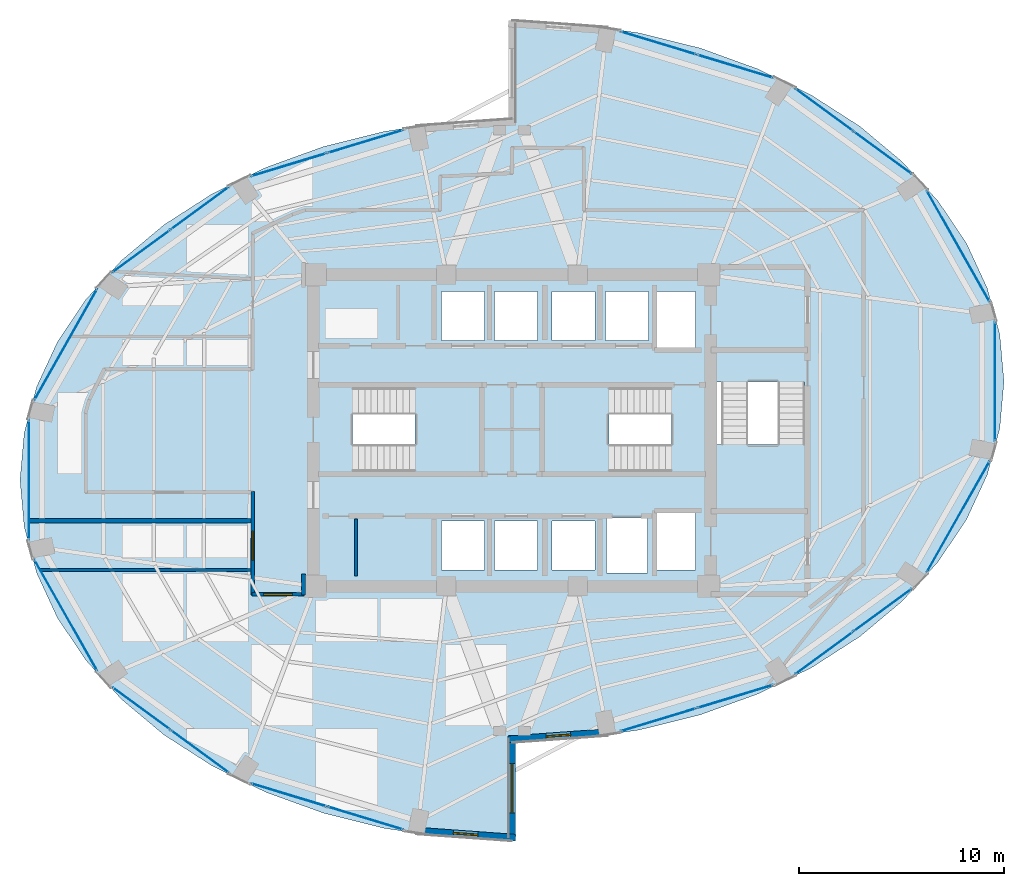
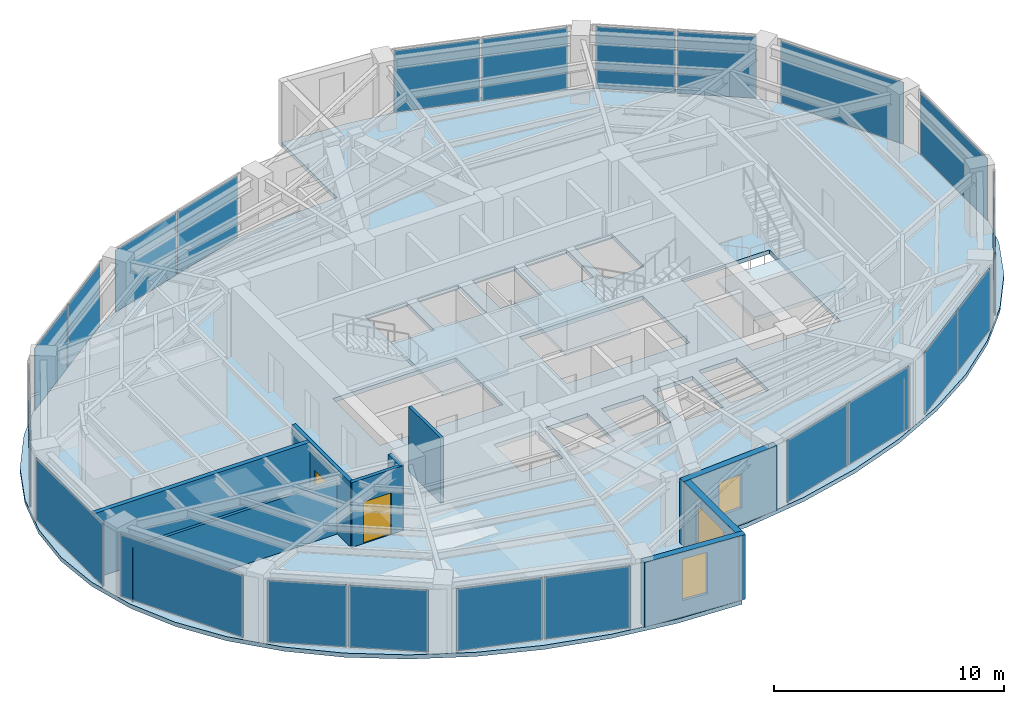
# One storey, part 15 of 20: 22 plates, 9 walls, 4 slabs, 3 windows, 2 doors, 5 openings, 17 elements without a shape of their own.
"""IFC4 building model written with IfcOpenShell, lengths in metres."""

from ifc_helpers import new_model, si_unit, direction, frame, frame_2d, origin, origin_2d, place, context, subcontext, project, spatial, polyline, rectangle, outline, extrude, material, layer, layer_set, type_object, element, fill, aggregate, save


model = new_model("IFC4")

# Units and contexts
model_context = context("Model", 3, precision=1e-05, world=origin(), true_north=direction((0.0, 1.0)))
body_context = subcontext(model_context, "Body", "Model", "MODEL_VIEW")
ifc_project = project(units=[si_unit("LENGTHUNIT", "METRE"), si_unit("AREAUNIT", "SQUARE_METRE"), si_unit("VOLUMEUNIT", "CUBIC_METRE"), si_unit("PLANEANGLEUNIT", "RADIAN"), si_unit("MASSUNIT", "GRAM", prefix="KILO")], contexts=[model_context])

# Site, building, storey
site_placement = place(None, origin())
site = spatial("IfcSite", under=ifc_project, at=site_placement, CompositionType="ELEMENT")
building_placement = place(site_placement, origin())
building = spatial("IfcBuilding", under=site, at=building_placement, Name="Lazwardi Medical Tower", CompositionType="ELEMENT")
storey_placement = place(building_placement, frame((0.0, 0.0, 182.06396484375)))
storey = spatial("IfcBuildingStorey", under=building, at=storey_placement, Name="L47", CompositionType="ELEMENT", Elevation=182.06396484375)

# Curtain wall, plates
ifc_material_1 = material(Name="Anodised bronze aluminium and solar control glazing", Category="aluminium")
ifc_layer_1 = layer(ifc_material_1, 0.195068359375)
ifc_layer_set_1 = layer_set([ifc_layer_1], Name="Anodised bronze aluminium and solar control glazing")
curtain_wall_type = type_object("IfcCurtainWallType", Name="CW-SYS-03", PredefinedType="NOTDEFINED", material=ifc_layer_set_1)
curtain_wall_1_placement = place(storey_placement, origin())
curtain_wall_1 = element("IfcCurtainWall", 1, at=curtain_wall_1_placement, inside=storey, type_object=curtain_wall_type, Name="L47 Unitised bronze curtain wall CW-03", PredefinedType="NOTDEFINED")
ifc_material_2 = material(Name="Low-e bronze solar control double glazing", Category="glass")
ifc_layer_2 = layer(ifc_material_2, 0.035888671875)
ifc_layer_set_2 = layer_set([ifc_layer_2], Name="Low-e bronze solar control double glazing")
plate_type = type_object("IfcPlateType", Name="PLT-GLZ-01", PredefinedType="CURTAIN_PANEL", material=ifc_layer_set_2)
plate_1_placement = place(storey_placement, frame((43.1435546875, 13.8935546875, 0.0751953125), z_axis=(0.0, 0.0, 1.0), x_axis=(0.956941516292, 0.290280785441, 0.0)))
plate_1 = element("IfcPlate", 2, at=plate_1_placement, type_object=plate_type, Name="CW-03 panel 1.1", PredefinedType="CURTAIN_PANEL", context=body_context, shape_type="SweptSolid", body=[
    extrude(rectangle(XDim=3.83642578125, YDim=0.035888671875, at=origin_2d()), origin(), (0.0, 0.0, 1.0), 3.278076171875),
])
plate_2_placement = place(storey_placement, frame((46.88671875, 15.029052734375, 0.0751953125), z_axis=(0.0, 0.0, 1.0), x_axis=(0.956941516292, 0.290280785441, 0.0)))
plate_2 = element("IfcPlate", 3, at=plate_2_placement, type_object=plate_type, Name="CW-03 panel 2.1", PredefinedType="CURTAIN_PANEL", context=body_context, shape_type="SweptSolid", body=[
    extrude(rectangle(XDim=3.83642578125, YDim=0.035888671875, at=origin_2d()), origin(), (0.0, 0.0, 1.0), 3.278076171875),
])
aggregate(curtain_wall_1, [plate_1, plate_2])

curtain_wall_2_placement = place(storey_placement, origin())
curtain_wall_2 = element("IfcCurtainWall", 4, at=curtain_wall_2_placement, inside=storey, type_object=curtain_wall_type, Name="L47 Unitised bronze curtain wall CW-03", PredefinedType="NOTDEFINED")
plate_3_placement = place(storey_placement, frame((51.2265625, 17.153076171875, 0.0751953125), z_axis=(0.0, 0.0, 1.0), x_axis=(0.806793249082, 0.590833862635, 0.0)))
plate_3 = element("IfcPlate", 5, at=plate_3_placement, type_object=plate_type, Name="CW-03 panel 1.1", PredefinedType="CURTAIN_PANEL", context=body_context, shape_type="SweptSolid", body=[
    extrude(rectangle(XDim=3.472412109375, YDim=0.035888671875, at=origin_2d()), origin(), (0.0, 0.0, 1.0), 3.278076171875),
])
plate_4_placement = place(storey_placement, frame((54.088623046875, 19.2490234375, 0.0751953125), z_axis=(0.0, 0.0, 1.0), x_axis=(0.806793249082, 0.590833862635, 0.0)))
plate_4 = element("IfcPlate", 6, at=plate_4_placement, type_object=plate_type, Name="CW-03 panel 2.1", PredefinedType="CURTAIN_PANEL", context=body_context, shape_type="SweptSolid", body=[
    extrude(rectangle(XDim=3.472412109375, YDim=0.035888671875, at=origin_2d()), origin(), (0.0, 0.0, 1.0), 3.278076171875),
])
aggregate(curtain_wall_2, [plate_3, plate_4])

# Curtain wall, plate
curtain_wall_3_placement = place(storey_placement, origin())
curtain_wall_3 = element("IfcCurtainWall", 7, at=curtain_wall_3_placement, inside=storey, type_object=curtain_wall_type, Name="L47 Unitised bronze curtain wall CW-03", PredefinedType="NOTDEFINED")
plate_5_placement = place(storey_placement, frame((57.764404296875, 23.798095703125, 0.0751953125), z_axis=(0.0, 0.0, 1.0), x_axis=(0.492311672683, 0.870418989303, 0.0)))
plate_5 = element("IfcPlate", 8, at=plate_5_placement, type_object=plate_type, Name="CW-03 panel 1.1", PredefinedType="CURTAIN_PANEL", context=body_context, shape_type="SweptSolid", body=[
    extrude(rectangle(XDim=6.208740234375, YDim=0.035888671875, at=origin_2d()), origin(), (0.0, 0.0, 1.0), 3.278076171875),
])
aggregate(curtain_wall_3, [plate_5])

curtain_wall_4_placement = place(storey_placement, origin())
curtain_wall_4 = element("IfcCurtainWall", 9, at=curtain_wall_4_placement, inside=storey, type_object=curtain_wall_type, Name="L47 Unitised bronze curtain wall CW-03", PredefinedType="NOTDEFINED")
plate_6_placement = place(storey_placement, frame((59.5576171875, 30.39990234375, 0.0751953125), z_axis=(0.0, 0.0, 1.0), x_axis=(0.0, 1.0, 0.0)))
plate_6 = element("IfcPlate", 10, at=plate_6_placement, type_object=plate_type, Name="CW-03 panel 1.1", PredefinedType="CURTAIN_PANEL", context=body_context, shape_type="SweptSolid", body=[
    extrude(rectangle(XDim=5.8408203125, YDim=0.035888671875, at=origin_2d()), origin(), (0.0, 0.0, 1.0), 3.278076171875),
])
aggregate(curtain_wall_4, [plate_6])

curtain_wall_5_placement = place(storey_placement, origin())
curtain_wall_5 = element("IfcCurtainWall", 11, at=curtain_wall_5_placement, inside=storey, type_object=curtain_wall_type, Name="L47 Unitised bronze curtain wall CW-03", PredefinedType="NOTDEFINED")
plate_7_placement = place(storey_placement, frame((57.764404296875, 37.001953125, 0.0751953125), z_axis=(0.0, 0.0, 1.0), x_axis=(-0.492311672683, 0.870418989303, 0.0)))
plate_7 = element("IfcPlate", 12, at=plate_7_placement, type_object=plate_type, Name="CW-03 panel 1.1", PredefinedType="CURTAIN_PANEL", context=body_context, shape_type="SweptSolid", body=[
    extrude(rectangle(XDim=6.208740234375, YDim=0.035888671875, at=origin_2d()), origin(), (0.0, 0.0, 1.0), 3.278076171875),
])
aggregate(curtain_wall_5, [plate_7])

# Curtain wall, plates
curtain_wall_6_placement = place(storey_placement, origin())
curtain_wall_6 = element("IfcCurtainWall", 13, at=curtain_wall_6_placement, inside=storey, type_object=curtain_wall_type, Name="L47 Unitised bronze curtain wall CW-03", PredefinedType="NOTDEFINED")
plate_8_placement = place(storey_placement, frame((54.088623046875, 41.551025390625, 0.0751953125), z_axis=(0.0, 0.0, 1.0), x_axis=(-0.806793249082, 0.590833862635, 0.0)))
plate_8 = element("IfcPlate", 14, at=plate_8_placement, type_object=plate_type, Name="CW-03 panel 1.1", PredefinedType="CURTAIN_PANEL", context=body_context, shape_type="SweptSolid", body=[
    extrude(rectangle(XDim=3.472412109375, YDim=0.035888671875, at=origin_2d()), origin(), (0.0, 0.0, 1.0), 3.278076171875),
])
plate_9_placement = place(storey_placement, frame((51.2265625, 43.64697265625, 0.0751953125), z_axis=(0.0, 0.0, 1.0), x_axis=(-0.806793249082, 0.590833862635, 0.0)))
plate_9 = element("IfcPlate", 15, at=plate_9_placement, type_object=plate_type, Name="CW-03 panel 2.1", PredefinedType="CURTAIN_PANEL", context=body_context, shape_type="SweptSolid", body=[
    extrude(rectangle(XDim=3.472412109375, YDim=0.035888671875, at=origin_2d()), origin(), (0.0, 0.0, 1.0), 3.278076171875),
])
aggregate(curtain_wall_6, [plate_8, plate_9])

curtain_wall_7_placement = place(storey_placement, origin())
curtain_wall_7 = element("IfcCurtainWall", 16, at=curtain_wall_7_placement, inside=storey, type_object=curtain_wall_type, Name="L47 Unitised bronze curtain wall CW-03", PredefinedType="NOTDEFINED")
plate_10_placement = place(storey_placement, frame((46.88671875, 45.77099609375, 0.0751953125), z_axis=(0.0, 0.0, 1.0), x_axis=(-0.956941516292, 0.290280785441, 0.0)))
plate_10 = element("IfcPlate", 17, at=plate_10_placement, type_object=plate_type, Name="CW-03 panel 1.1", PredefinedType="CURTAIN_PANEL", context=body_context, shape_type="SweptSolid", body=[
    extrude(rectangle(XDim=3.83642578125, YDim=0.035888671875, at=origin_2d()), origin(), (0.0, 0.0, 1.0), 3.278076171875),
])
plate_11_placement = place(storey_placement, frame((43.1435546875, 46.906494140625, 0.0751953125), z_axis=(0.0, 0.0, 1.0), x_axis=(-0.956941516292, 0.290280785441, 0.0)))
plate_11 = element("IfcPlate", 18, at=plate_11_placement, type_object=plate_type, Name="CW-03 panel 2.1", PredefinedType="CURTAIN_PANEL", context=body_context, shape_type="SweptSolid", body=[
    extrude(rectangle(XDim=3.83642578125, YDim=0.035888671875, at=origin_2d()), origin(), (0.0, 0.0, 1.0), 3.278076171875),
])
aggregate(curtain_wall_7, [plate_10, plate_11])

curtain_wall_8_placement = place(storey_placement, origin())
curtain_wall_8 = element("IfcCurtainWall", 19, at=curtain_wall_8_placement, inside=storey, type_object=curtain_wall_type, Name="L47 Unitised bronze curtain wall CW-03", PredefinedType="NOTDEFINED")
plate_12_placement = place(storey_placement, frame((28.8564453125, 42.1064453125, 0.0751953125), z_axis=(0.0, 0.0, 1.0), x_axis=(-0.956941516292, -0.290280785441, 0.0)))
plate_12 = element("IfcPlate", 20, at=plate_12_placement, type_object=plate_type, Name="CW-03 panel 1.1", PredefinedType="CURTAIN_PANEL", context=body_context, shape_type="SweptSolid", body=[
    extrude(rectangle(XDim=3.83642578125, YDim=0.035888671875, at=origin_2d()), origin(), (0.0, 0.0, 1.0), 3.278076171875),
])
plate_13_placement = place(storey_placement, frame((25.11328125, 40.970947265625, 0.0751953125), z_axis=(0.0, 0.0, 1.0), x_axis=(-0.956941516292, -0.290280785441, 0.0)))
plate_13 = element("IfcPlate", 21, at=plate_13_placement, type_object=plate_type, Name="CW-03 panel 2.1", PredefinedType="CURTAIN_PANEL", context=body_context, shape_type="SweptSolid", body=[
    extrude(rectangle(XDim=3.83642578125, YDim=0.035888671875, at=origin_2d()), origin(), (0.0, 0.0, 1.0), 3.278076171875),
])
aggregate(curtain_wall_8, [plate_12, plate_13])

curtain_wall_9_placement = place(storey_placement, origin())
curtain_wall_9 = element("IfcCurtainWall", 22, at=curtain_wall_9_placement, inside=storey, type_object=curtain_wall_type, Name="L47 Unitised bronze curtain wall CW-03", PredefinedType="NOTDEFINED")
plate_14_placement = place(storey_placement, frame((20.7734375, 38.846923828125, 0.0751953125), z_axis=(0.0, 0.0, 1.0), x_axis=(-0.806793249082, -0.590833862635, 0.0)))
plate_14 = element("IfcPlate", 23, at=plate_14_placement, type_object=plate_type, Name="CW-03 panel 1.1", PredefinedType="CURTAIN_PANEL", context=body_context, shape_type="SweptSolid", body=[
    extrude(rectangle(XDim=3.472412109375, YDim=0.035888671875, at=origin_2d()), origin(), (0.0, 0.0, 1.0), 3.278076171875),
])
plate_15_placement = place(storey_placement, frame((17.911376953125, 36.7509765625, 0.0751953125), z_axis=(0.0, 0.0, 1.0), x_axis=(-0.806793249082, -0.590833862635, 0.0)))
plate_15 = element("IfcPlate", 24, at=plate_15_placement, type_object=plate_type, Name="CW-03 panel 2.1", PredefinedType="CURTAIN_PANEL", context=body_context, shape_type="SweptSolid", body=[
    extrude(rectangle(XDim=3.472412109375, YDim=0.035888671875, at=origin_2d()), origin(), (0.0, 0.0, 1.0), 3.278076171875),
])
aggregate(curtain_wall_9, [plate_14, plate_15])

# Curtain wall, plate
curtain_wall_10_placement = place(storey_placement, origin())
curtain_wall_10 = element("IfcCurtainWall", 25, at=curtain_wall_10_placement, inside=storey, type_object=curtain_wall_type, Name="L47 Unitised bronze curtain wall CW-03", PredefinedType="NOTDEFINED")
plate_16_placement = place(storey_placement, frame((14.235595703125, 32.201904296875, 0.0751953125), z_axis=(0.0, 0.0, 1.0), x_axis=(-0.492311672683, -0.870418989303, 0.0)))
plate_16 = element("IfcPlate", 26, at=plate_16_placement, type_object=plate_type, Name="CW-03 panel 1.1", PredefinedType="CURTAIN_PANEL", context=body_context, shape_type="SweptSolid", body=[
    extrude(rectangle(XDim=6.208740234375, YDim=0.035888671875, at=origin_2d()), origin(), (0.0, 0.0, 1.0), 3.278076171875),
])
aggregate(curtain_wall_10, [plate_16])

curtain_wall_11_placement = place(storey_placement, origin())
curtain_wall_11 = element("IfcCurtainWall", 27, at=curtain_wall_11_placement, inside=storey, type_object=curtain_wall_type, Name="L47 Unitised bronze curtain wall CW-03", PredefinedType="NOTDEFINED")
plate_17_placement = place(storey_placement, frame((12.4423828125, 25.60009765625, 0.0751953125), z_axis=(0.0, 0.0, 1.0), x_axis=(0.0, -1.0, 0.0)))
plate_17 = element("IfcPlate", 28, at=plate_17_placement, type_object=plate_type, Name="CW-03 panel 1.1", PredefinedType="CURTAIN_PANEL", context=body_context, shape_type="SweptSolid", body=[
    extrude(rectangle(XDim=5.8408203125, YDim=0.035888671875, at=origin_2d()), origin(), (0.0, 0.0, 1.0), 3.278076171875),
])
aggregate(curtain_wall_11, [plate_17])

curtain_wall_12_placement = place(storey_placement, origin())
curtain_wall_12 = element("IfcCurtainWall", 29, at=curtain_wall_12_placement, inside=storey, type_object=curtain_wall_type, Name="L47 Unitised bronze curtain wall CW-03", PredefinedType="NOTDEFINED")
plate_18_placement = place(storey_placement, frame((14.235595703125, 18.998046875, 0.0751953125), z_axis=(0.0, 0.0, 1.0), x_axis=(0.492311672683, -0.870418989303, 0.0)))
plate_18 = element("IfcPlate", 30, at=plate_18_placement, type_object=plate_type, Name="CW-03 panel 1.1", PredefinedType="CURTAIN_PANEL", context=body_context, shape_type="SweptSolid", body=[
    extrude(rectangle(XDim=6.208740234375, YDim=0.035888671875, at=origin_2d()), origin(), (0.0, 0.0, 1.0), 3.278076171875),
])
aggregate(curtain_wall_12, [plate_18])

# Curtain wall, plates
curtain_wall_13_placement = place(storey_placement, origin())
curtain_wall_13 = element("IfcCurtainWall", 31, at=curtain_wall_13_placement, inside=storey, type_object=curtain_wall_type, Name="L47 Unitised bronze curtain wall CW-03", PredefinedType="NOTDEFINED")
plate_19_placement = place(storey_placement, frame((17.911376953125, 14.448974609375, 0.0751953125), z_axis=(0.0, 0.0, 1.0), x_axis=(0.806793249082, -0.590833862635, 0.0)))
plate_19 = element("IfcPlate", 32, at=plate_19_placement, type_object=plate_type, Name="CW-03 panel 1.1", PredefinedType="CURTAIN_PANEL", context=body_context, shape_type="SweptSolid", body=[
    extrude(rectangle(XDim=3.472412109375, YDim=0.035888671875, at=origin_2d()), origin(), (0.0, 0.0, 1.0), 3.278076171875),
])
plate_20_placement = place(storey_placement, frame((20.7734375, 12.35302734375, 0.0751953125), z_axis=(0.0, 0.0, 1.0), x_axis=(0.806793249082, -0.590833862635, 0.0)))
plate_20 = element("IfcPlate", 33, at=plate_20_placement, type_object=plate_type, Name="CW-03 panel 2.1", PredefinedType="CURTAIN_PANEL", context=body_context, shape_type="SweptSolid", body=[
    extrude(rectangle(XDim=3.472412109375, YDim=0.035888671875, at=origin_2d()), origin(), (0.0, 0.0, 1.0), 3.278076171875),
])
aggregate(curtain_wall_13, [plate_19, plate_20])

curtain_wall_14_placement = place(storey_placement, origin())
curtain_wall_14 = element("IfcCurtainWall", 34, at=curtain_wall_14_placement, inside=storey, type_object=curtain_wall_type, Name="L47 Unitised bronze curtain wall CW-03", PredefinedType="NOTDEFINED")
plate_21_placement = place(storey_placement, frame((25.11328125, 10.22900390625, 0.0751953125), z_axis=(0.0, 0.0, 1.0), x_axis=(0.956941516292, -0.290280785441, 0.0)))
plate_21 = element("IfcPlate", 35, at=plate_21_placement, type_object=plate_type, Name="CW-03 panel 1.1", PredefinedType="CURTAIN_PANEL", context=body_context, shape_type="SweptSolid", body=[
    extrude(rectangle(XDim=3.83642578125, YDim=0.035888671875, at=origin_2d()), origin(), (0.0, 0.0, 1.0), 3.278076171875),
])
plate_22_placement = place(storey_placement, frame((28.8564453125, 9.093505859375, 0.0751953125), z_axis=(0.0, 0.0, 1.0), x_axis=(0.956941516292, -0.290280785441, 0.0)))
plate_22 = element("IfcPlate", 36, at=plate_22_placement, type_object=plate_type, Name="CW-03 panel 2.1", PredefinedType="CURTAIN_PANEL", context=body_context, shape_type="SweptSolid", body=[
    extrude(rectangle(XDim=3.83642578125, YDim=0.035888671875, at=origin_2d()), origin(), (0.0, 0.0, 1.0), 3.278076171875),
])
aggregate(curtain_wall_14, [plate_21, plate_22])

# Stair, slab
ifc_material_3 = material(Name="Concrete C45/55", Category="concrete")
stair_type = type_object("IfcStairType", Name="STR-WRD", PredefinedType="HALF_TURN_STAIR", material=ifc_material_3)
stair_1_placement = place(storey_placement, origin())
stair_1 = element("IfcStair", 37, at=stair_1_placement, inside=storey, type_object=stair_type, Name="L47 Protected Exit Stair ST1", PredefinedType="HALF_TURN_STAIR")
ifc_layer_3 = layer(ifc_material_3, 0.199951171875)
ifc_layer_set_3 = layer_set([ifc_layer_3], Name="Concrete C45/55")
slab_type_1 = type_object("IfcSlabType", Name="SLB-LND-190", PredefinedType="LANDING", material=ifc_layer_set_3)
slab_1_placement = place(storey_placement, frame((0.0, 0.0, 1.6240234375)))
slab_1 = element("IfcSlab", 38, at=slab_1_placement, type_object=slab_type_1, Name="ST1 landing 1", PredefinedType="LANDING", context=body_context, shape_type="SweptSolid", body=[
    extrude(outline(polyline([(31.27490234375, 25.840087890625), (34.580078125, 25.840087890625), (34.580078125, 30.280029296875), (31.27490234375, 30.280029296875), (31.27490234375, 25.840087890625)])), origin(), (0.0, 0.0, 1.0), 0.199951171875),
])
aggregate(stair_1, [slab_1])

stair_2_placement = place(storey_placement, origin())
stair_2 = element("IfcStair", 39, at=stair_2_placement, inside=storey, type_object=stair_type, Name="L47 Protected Exit Stair ST2", PredefinedType="HALF_TURN_STAIR")
slab_2_placement = place(storey_placement, frame((0.0, 0.0, 1.6240234375)))
slab_2 = element("IfcSlab", 40, at=slab_2_placement, type_object=slab_type_1, Name="ST2 landing 1", PredefinedType="LANDING", context=body_context, shape_type="SweptSolid", body=[
    extrude(outline(polyline([(40.72509765625, 30.280029296875), (37.419921875, 30.280029296875), (37.419921875, 25.840087890625), (40.72509765625, 25.840087890625), (40.72509765625, 30.280029296875)])), origin(), (0.0, 0.0, 1.0), 0.199951171875),
])
aggregate(stair_2, [slab_2])

stair_3_placement = place(storey_placement, origin())
stair_3 = element("IfcStair", 41, at=stair_3_placement, inside=storey, type_object=stair_type, Name="L47 Protected Exit Stair ST3", PredefinedType="HALF_TURN_STAIR")
slab_3_placement = place(storey_placement, frame((0.0, 0.0, 1.6240234375)))
slab_3 = element("IfcSlab", 42, at=slab_3_placement, type_object=slab_type_1, Name="ST3 landing 1", PredefinedType="LANDING", context=body_context, shape_type="SweptSolid", body=[
    extrude(outline(polyline([(45.860107421875, 27.324951171875), (45.860107421875, 24.02001953125), (50.4599609375, 24.02001953125), (50.4599609375, 27.324951171875), (45.860107421875, 27.324951171875)])), origin(), (0.0, 0.0, 1.0), 0.199951171875),
])
aggregate(stair_3, [slab_3])

# Slab
ifc_material_4 = material(Name="Concrete C50/60", Category="concrete")
ifc_layer_4 = layer(ifc_material_4, 0.219970703125)
ifc_layer_set_4 = layer_set([ifc_layer_4], Name="Concrete C50/60")
slab_type_2 = type_object("IfcSlabType", Name="SLB-WRD-220", PredefinedType="FLOOR", material=ifc_layer_set_4)
slab_4_placement = place(storey_placement, frame((0.0, 0.0, -0.219970703125)))
element("IfcSlab", 43, at=slab_4_placement, inside=storey, type_object=slab_type_2, Name="Structural floor slab SF-03 L47", PredefinedType="FLOOR", context=body_context, shape_type="SweptSolid", body=[
    extrude(outline(polyline([(12.205322265625, 23.302734375), (12.81787109375, 21.044921875), (13.826904296875, 18.86474609375), (15.21533203125, 16.800048828125), (16.95947265625, 14.8857421875), (19.029296875, 13.15478515625), (21.3896484375, 11.636962890625), (24.0, 10.35791015625), (26.815673828125, 9.339599609375), (29.788330078125, 8.599609375), (32.867431640625, 8.150634765625), (36.0, 8.0), (36.0, 12.800048828125), (39.132568359375, 12.95068359375), (42.211669921875, 13.399658203125), (45.184326171875, 14.1396484375), (48.0, 15.157958984375), (50.6103515625, 16.43701171875), (52.970703125, 17.954833984375), (55.04052734375, 19.685791015625), (56.78466796875, 21.60009765625), (58.173095703125, 23.664794921875), (59.18212890625, 25.8447265625), (59.794677734375, 28.102783203125), (60.0, 30.39990234375), (59.794677734375, 32.697265625), (59.18212890625, 34.955078125), (58.173095703125, 37.13525390625), (56.78466796875, 39.199951171875), (55.04052734375, 41.1142578125), (52.970703125, 42.84521484375), (50.6103515625, 44.363037109375), (48.0, 45.64208984375), (45.184326171875, 46.660400390625), (42.211669921875, 47.400390625), (39.132568359375, 47.849365234375), (36.0, 48.0), (36.0, 43.199951171875), (32.867431640625, 43.04931640625), (29.788330078125, 42.600341796875), (26.815673828125, 41.8603515625), (24.0, 40.842041015625), (21.3896484375, 39.56298828125), (19.029296875, 38.045166015625), (16.95947265625, 36.314208984375), (15.21533203125, 34.39990234375), (13.826904296875, 32.335205078125), (12.81787109375, 30.1552734375), (12.205322265625, 27.897216796875), (12.0, 25.60009765625), (12.205322265625, 23.302734375)]), holes=[polyline([(28.22509765625, 26.02001953125), (28.22509765625, 30.10009765625), (34.39990234375, 30.10009765625), (34.39990234375, 26.02001953125), (28.22509765625, 26.02001953125)]), polyline([(37.60009765625, 30.10009765625), (43.77490234375, 30.10009765625), (43.77490234375, 26.02001953125), (37.60009765625, 26.02001953125), (37.60009765625, 30.10009765625)]), polyline([(50.280029296875, 30.375), (50.280029296875, 24.179931640625), (45.840087890625, 24.179931640625), (45.840087890625, 30.375), (50.280029296875, 30.375)]), polyline([(34.64990234375, 32.39990234375), (32.550048828125, 32.39990234375), (32.550048828125, 34.800048828125), (34.64990234375, 34.800048828125), (34.64990234375, 32.39990234375)]), polyline([(35.14990234375, 32.39990234375), (35.14990234375, 34.800048828125), (37.25, 34.800048828125), (37.25, 32.39990234375), (35.14990234375, 32.39990234375)]), polyline([(32.550048828125, 23.60009765625), (34.64990234375, 23.60009765625), (34.64990234375, 21.199951171875), (32.550048828125, 21.199951171875), (32.550048828125, 23.60009765625)]), polyline([(37.25, 23.60009765625), (37.25, 21.199951171875), (35.14990234375, 21.199951171875), (35.14990234375, 23.60009765625), (37.25, 23.60009765625)]), polyline([(40.050048828125, 32.39990234375), (37.949951171875, 32.39990234375), (37.949951171875, 34.800048828125), (40.050048828125, 34.800048828125), (40.050048828125, 32.39990234375)]), polyline([(40.550048828125, 32.39990234375), (40.550048828125, 34.800048828125), (42.64990234375, 34.800048828125), (42.64990234375, 32.39990234375), (40.550048828125, 32.39990234375)]), polyline([(37.949951171875, 23.60009765625), (40.050048828125, 23.60009765625), (40.050048828125, 21.199951171875), (37.949951171875, 21.199951171875), (37.949951171875, 23.60009765625)]), polyline([(44.949951171875, 34.800048828125), (44.949951171875, 32.0), (43.050048828125, 32.0), (43.050048828125, 34.800048828125), (44.949951171875, 34.800048828125)]), polyline([(44.949951171875, 21.199951171875), (43.050048828125, 21.199951171875), (43.050048828125, 24.0), (44.949951171875, 24.0), (44.949951171875, 21.199951171875)]), polyline([(40.60009765625, 21.050048828125), (40.60009765625, 23.75), (42.60009765625, 23.75), (42.60009765625, 21.050048828125), (40.60009765625, 21.050048828125)])]), origin(), (0.0, 0.0, 1.0), 0.219970703125),
])

# Wall
ifc_material_5 = material(Name="Fire-rated gypsum board on steel stud", Category="steel")
ifc_layer_5 = layer(ifc_material_5, 0.179931640625)
ifc_layer_set_5 = layer_set([ifc_layer_5], Name="Fire-rated gypsum board on steel stud")
wall_type_1 = type_object("IfcWallType", Name="WL-COR-180", PredefinedType="PARTITIONING", material=ifc_layer_set_5)
wall_1_placement = place(storey_placement, frame((25.830078125, 21.010009765625, 0.0), z_axis=(0.0, 0.0, 1.0), x_axis=(0.0, -1.0, 0.0)))
element("IfcWall", 44, at=wall_1_placement, inside=storey, type_object=wall_type_1, Name="L47 Corridor partition 16", PredefinedType="PARTITIONING", context=body_context, shape_type="SweptSolid", body=[
    extrude(rectangle(XDim=1.030029296875, YDim=0.179931640625, at=frame_2d((0.51513671875, 0.0))), origin(), (0.0, 0.0, 1.0), 3.427978515625),
])

# Wall, opening, door
wall_2_placement = place(storey_placement, frame((25.8701171875, 20.02001953125, 0.0), z_axis=(0.0, 0.0, 1.0), x_axis=(-1.0, 0.0, 0.0)))
wall_2 = element("IfcWall", 45, at=wall_2_placement, inside=storey, type_object=wall_type_1, Name="L47 Corridor partition 17", PredefinedType="PARTITIONING", context=body_context, shape_type="SweptSolid", body=[
    extrude(rectangle(XDim=2.56005859375, YDim=0.179931640625, at=frame_2d((1.280029296875, 0.0))), origin(), (0.0, 0.0, 1.0), 3.427978515625),
])
opening_1_placement = place(wall_2_placement, frame((0.580078125, 0.0, 0.0)))
opening_1 = element("IfcOpeningElement", 46, at=opening_1_placement, cuts=wall_2, Name="Opening D-L47-014", PredefinedType="OPENING", context=body_context, shape_type="SweptSolid", body=[
    extrude(rectangle(XDim=1.39990234375, YDim=2.199951171875, at=frame_2d((0.699951171875, 1.10009765625))), frame((0.0, 0.099853515625, 0.0), z_axis=(0.0, -1.0, 0.0), x_axis=(1.0, 0.0, 0.0)), (0.0, 0.0, 1.0), 0.199951171875),
])
ifc_material_6 = material(Name="Anti-microbial laminate hospital leaf")
door_type = type_object("IfcDoorType", Name="DR-BED-1400", OperationType="NOTDEFINED", PredefinedType="DOOR", material=ifc_material_6)
door_1_placement = place(opening_1_placement, origin())
door_1 = element("IfcDoor", 47, at=door_1_placement, inside=storey, type_object=door_type, Name="L47 Department Reception Foyer Door 02", OperationType="SINGLE_SWING_LEFT", OverallHeight=2.199951171875, OverallWidth=1.39990234375, PredefinedType="DOOR", context=body_context, shape_type="SweptSolid", body=[
    extrude(rectangle(XDim=1.39990234375, YDim=2.199951171875, at=frame_2d((0.699951171875, 1.10009765625))), frame((0.0, 0.02490234375, 0.0), z_axis=(0.0, -1.0, 0.0), x_axis=(1.0, 0.0, 0.0)), (0.0, 0.0, 1.0), 0.050048828125),
])
fill(opening_1, door_1)

wall_3_placement = place(storey_placement, frame((23.35009765625, 19.97998046875, 0.0), z_axis=(0.0, 0.0, 1.0), x_axis=(0.0, 1.0, 0.0)))
wall_3 = element("IfcWall", 48, at=wall_3_placement, inside=storey, type_object=wall_type_1, Name="L47 Corridor partition 18", PredefinedType="PARTITIONING", context=body_context, shape_type="SweptSolid", body=[
    extrude(rectangle(XDim=5.06005859375, YDim=0.179931640625, at=frame_2d((2.530029296875, 0.0))), origin(), (0.0, 0.0, 1.0), 3.427978515625),
])
opening_2_placement = place(wall_3_placement, frame((1.702392578125, 0.0, 0.0)))
opening_2 = element("IfcOpeningElement", 49, at=opening_2_placement, cuts=wall_3, Name="Opening D-L47-013", PredefinedType="OPENING", context=body_context, shape_type="SweptSolid", body=[
    extrude(rectangle(XDim=1.39990234375, YDim=2.199951171875, at=frame_2d((0.699951171875, 1.10009765625))), frame((0.0, 0.099853515625, 0.0), z_axis=(0.0, -1.0, 0.0), x_axis=(1.0, 0.0, 0.0)), (0.0, 0.0, 1.0), 0.199951171875),
])
door_2_placement = place(opening_2_placement, origin())
door_2 = element("IfcDoor", 50, at=door_2_placement, inside=storey, type_object=door_type, Name="L47 Rehabilitation Gymnasium Door 01", OperationType="SINGLE_SWING_RIGHT", OverallHeight=2.199951171875, OverallWidth=1.39990234375, PredefinedType="DOOR", context=body_context, shape_type="SweptSolid", body=[
    extrude(rectangle(XDim=1.39990234375, YDim=2.199951171875, at=frame_2d((0.699951171875, 1.10009765625))), frame((0.0, 0.02490234375, 0.0), z_axis=(0.0, -1.0, 0.0), x_axis=(1.0, 0.0, 0.0)), (0.0, 0.0, 1.0), 0.050048828125),
])
fill(opening_2, door_2)

# Wall, opening, window
ifc_material_7 = material(Name="Precast concrete C45/55", Category="concrete")
ifc_layer_6 = layer(ifc_material_7, 0.320068359375)
ifc_layer_set_6 = layer_set([ifc_layer_6], Name="Precast concrete C45/55")
wall_type_2 = type_object("IfcWallType", Name="WL-IWAN-320", PredefinedType="SOLIDWALL", material=ifc_layer_set_6)
wall_4_placement = place(storey_placement, frame((35.820556640625, 12.947021484375, 0.0), z_axis=(0.0, 0.0, 1.0), x_axis=(0.997415460462, 0.071849838072, 0.0)))
wall_4 = element("IfcWall", 51, at=wall_4_placement, inside=storey, type_object=wall_type_2, Name="L47 Iwan Portal Return Wall SE_ret", PredefinedType="SOLIDWALL", context=body_context, shape_type="SweptSolid", body=[
    extrude(rectangle(XDim=4.89306640625, YDim=0.320068359375, at=frame_2d((2.446533203125, 0.0))), origin(), (0.0, 0.0, 1.0), 3.427978515625),
])
opening_3_placement = place(wall_4_placement, frame((1.846435546875, 0.0, 0.85009765625)))
opening_3 = element("IfcOpeningElement", 52, at=opening_3_placement, cuts=wall_4, Name="Opening WN-04", PredefinedType="OPENING", context=body_context, shape_type="SweptSolid", body=[
    extrude(rectangle(XDim=1.199951171875, YDim=1.800048828125, at=frame_2d((0.60009765625, 0.89990234375))), frame((0.0, 0.169921875, 0.0), z_axis=(0.0, -1.0, 0.0), x_axis=(1.0, 0.0, 0.0)), (0.0, 0.0, 1.0), 0.340087890625),
])
window_type_1 = type_object("IfcWindowType", Name="WIN-DRUM-1200", PartitioningType="SINGLE_PANEL", PredefinedType="WINDOW", material=ifc_material_2)
window_1_placement = place(opening_3_placement, origin())
window_1 = element("IfcWindow", 53, at=window_1_placement, inside=storey, type_object=window_type_1, Name="L47 Iwan Slot Window SE_ret", OverallHeight=1.800048828125, OverallWidth=1.199951171875, PartitioningType="SINGLE_PANEL", PredefinedType="WINDOW", context=body_context, shape_type="SweptSolid", body=[
    extrude(rectangle(XDim=1.199951171875, YDim=1.800048828125, at=frame_2d((0.60009765625, 0.89990234375))), frame((0.0, 0.030029296875, 0.0), z_axis=(0.0, -1.0, 0.0), x_axis=(1.0, 0.0, 0.0)), (0.0, 0.0, 1.0), 0.06005859375),
])
fill(opening_3, window_1)

wall_5_placement = place(storey_placement, frame((31.299072265625, 8.498779296875, 0.0), z_axis=(0.0, 0.0, 1.0), x_axis=(0.997415202861, -0.071853413984, 0.0)))
wall_5 = element("IfcWall", 54, at=wall_5_placement, inside=storey, type_object=wall_type_2, Name="L47 Iwan Portal Return Wall SW_ret", PredefinedType="SOLIDWALL", context=body_context, shape_type="SweptSolid", body=[
    extrude(rectangle(XDim=4.892822265625, YDim=0.320068359375, at=frame_2d((2.4462890625, 0.0))), origin(), (0.0, 0.0, 1.0), 3.427978515625),
])
opening_4_placement = place(wall_5_placement, frame((1.84619140625, 0.0, 0.85009765625)))
opening_4 = element("IfcOpeningElement", 55, at=opening_4_placement, cuts=wall_5, Name="Opening WN-01", PredefinedType="OPENING", context=body_context, shape_type="SweptSolid", body=[
    extrude(rectangle(XDim=1.199951171875, YDim=2.199951171875, at=frame_2d((0.60009765625, 1.10009765625))), frame((0.0, 0.169921875, 0.0), z_axis=(0.0, -1.0, 0.0), x_axis=(1.0, 0.0, 0.0)), (0.0, 0.0, 1.0), 0.340087890625),
])
window_type_2 = type_object("IfcWindowType", Name="WIN-IW-1200", PartitioningType="SINGLE_PANEL", PredefinedType="WINDOW", material=ifc_material_2)
window_2_placement = place(opening_4_placement, origin())
window_2 = element("IfcWindow", 56, at=window_2_placement, inside=storey, type_object=window_type_2, Name="L47 Iwan Slot Window SW_ret", OverallHeight=2.199951171875, OverallWidth=1.199951171875, PartitioningType="SINGLE_PANEL", PredefinedType="WINDOW", context=body_context, shape_type="SweptSolid", body=[
    extrude(rectangle(XDim=1.199951171875, YDim=2.199951171875, at=frame_2d((0.60009765625, 1.10009765625))), frame((0.0, 0.030029296875, 0.0), z_axis=(0.0, -1.0, 0.0), x_axis=(1.0, 0.0, 0.0)), (0.0, 0.0, 1.0), 0.06005859375),
])
fill(opening_4, window_2)

wall_6_placement = place(storey_placement, frame((36.0, 8.0, 0.0), z_axis=(0.0, 0.0, 1.0), x_axis=(0.0, 1.0, 0.0)))
wall_6 = element("IfcWall", 57, at=wall_6_placement, inside=storey, type_object=wall_type_2, Name="L47 Turquoise Tilework Iwan Seam Wall S_seam", PredefinedType="SOLIDWALL", context=body_context, shape_type="SweptSolid", body=[
    extrude(rectangle(XDim=5.1201171875, YDim=0.320068359375, at=frame_2d((2.56005859375, 0.0))), origin(), (0.0, 0.0, 1.0), 3.427978515625),
])
opening_5_placement = place(wall_6_placement, frame((1.360107421875, 0.0, 0.840087890625)))
opening_5 = element("IfcOpeningElement", 58, at=opening_5_placement, cuts=wall_6, Name="Opening WN-02", PredefinedType="OPENING", context=body_context, shape_type="SweptSolid", body=[
    extrude(rectangle(XDim=2.39990234375, YDim=2.0400390625, at=frame_2d((1.199951171875, 1.02001953125))), frame((0.0, 0.169921875, 0.0), z_axis=(0.0, -1.0, 0.0), x_axis=(1.0, 0.0, 0.0)), (0.0, 0.0, 1.0), 0.340087890625),
])
window_type_3 = type_object("IfcWindowType", Name="WIN-IW-2400", PartitioningType="SINGLE_PANEL", PredefinedType="WINDOW", material=ifc_material_2)
window_3_placement = place(opening_5_placement, origin())
window_3 = element("IfcWindow", 59, at=window_3_placement, inside=storey, type_object=window_type_3, Name="L47 Iwan Seam Window S_seam", OverallHeight=2.0400390625, OverallWidth=2.39990234375, PartitioningType="SINGLE_PANEL", PredefinedType="WINDOW", context=body_context, shape_type="SweptSolid", body=[
    extrude(rectangle(XDim=2.39990234375, YDim=2.0400390625, at=frame_2d((1.199951171875, 1.02001953125))), frame((0.0, 0.030029296875, 0.0), z_axis=(0.0, -1.0, 0.0), x_axis=(1.0, 0.0, 0.0)), (0.0, 0.0, 1.0), 0.06005859375),
])
fill(opening_5, window_3)

# Walls
ifc_layer_7 = layer(ifc_material_5, 0.219970703125)
ifc_layer_set_7 = layer_set([ifc_layer_7], Name="Fire-rated gypsum board on steel stud")
wall_type_3 = type_object("IfcWallType", Name="WL-SMK-220", PredefinedType="PARTITIONING", material=ifc_layer_set_7)
wall_7_placement = place(storey_placement, frame((12.452880859375, 23.60009765625, 0.0), z_axis=(0.0, 0.0, 1.0), x_axis=(1.0, 0.0, 0.0)))
element("IfcWall", 60, at=wall_7_placement, inside=storey, type_object=wall_type_3, Name="L47 Room partition 2", PredefinedType="PARTITIONING", context=body_context, shape_type="SweptSolid", body=[
    extrude(rectangle(XDim=10.80712890625, YDim=0.219970703125, at=frame_2d((5.403564453125, 0.0))), origin(), (0.0, 0.0, 1.0), 3.427978515625),
])
ifc_material_8 = material(Name="Acoustic gypsum board partition")
ifc_layer_8 = layer(ifc_material_8, 0.14990234375)
ifc_layer_set_8 = layer_set([ifc_layer_8], Name="Acoustic gypsum board partition")
wall_type_4 = type_object("IfcWallType", Name="WL-WRD-150", PredefinedType="PARTITIONING", material=ifc_layer_set_8)
wall_8_placement = place(storey_placement, frame((28.39990234375, 20.89990234375, 0.0), z_axis=(0.0, 0.0, 1.0), x_axis=(0.0, 1.0, 0.0)))
element("IfcWall", 61, at=wall_8_placement, inside=storey, type_object=wall_type_4, Name="L47 Freed bay S split 2", PredefinedType="PARTITIONING", context=body_context, shape_type="SweptSolid", body=[
    extrude(rectangle(XDim=2.800048828125, YDim=0.14990234375, at=frame_2d((1.39990234375, 0.0))), origin(), (0.0, 0.0, 1.0), 3.427978515625),
])
wall_9_placement = place(storey_placement, frame((12.99853515625, 21.199951171875, 0.0), z_axis=(0.0, 0.0, 1.0), x_axis=(1.0, 0.0, 0.0)))
element("IfcWall", 62, at=wall_9_placement, inside=storey, type_object=wall_type_4, Name="L47 Room partition 1", PredefinedType="PARTITIONING", context=body_context, shape_type="SweptSolid", body=[
    extrude(rectangle(XDim=10.261474609375, YDim=0.14990234375, at=frame_2d((5.130859375, 0.0))), origin(), (0.0, 0.0, 1.0), 2.863037109375),
])

save(model, "model.ifc")
